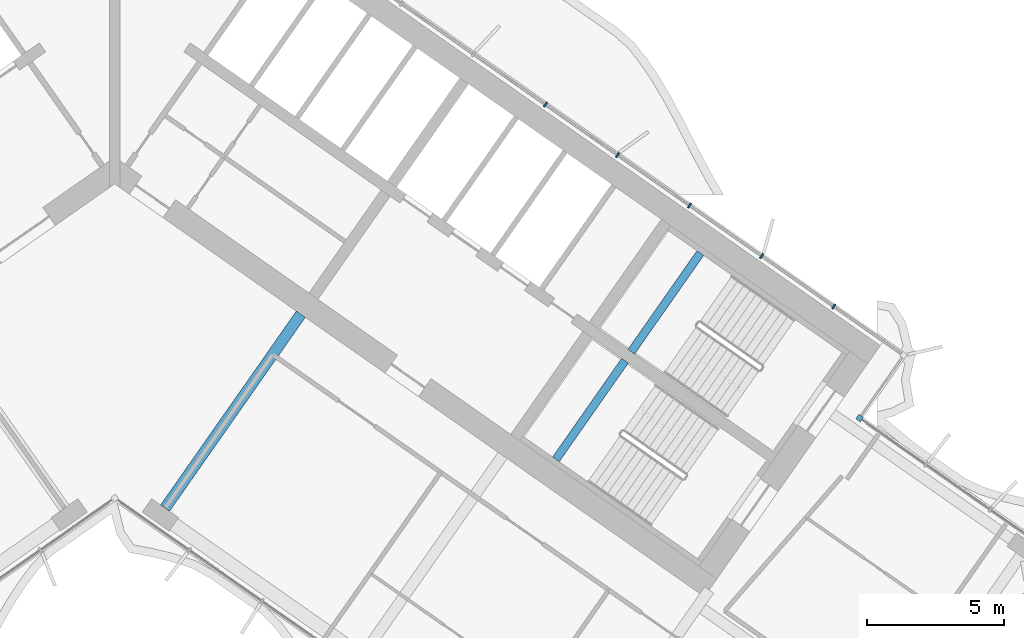
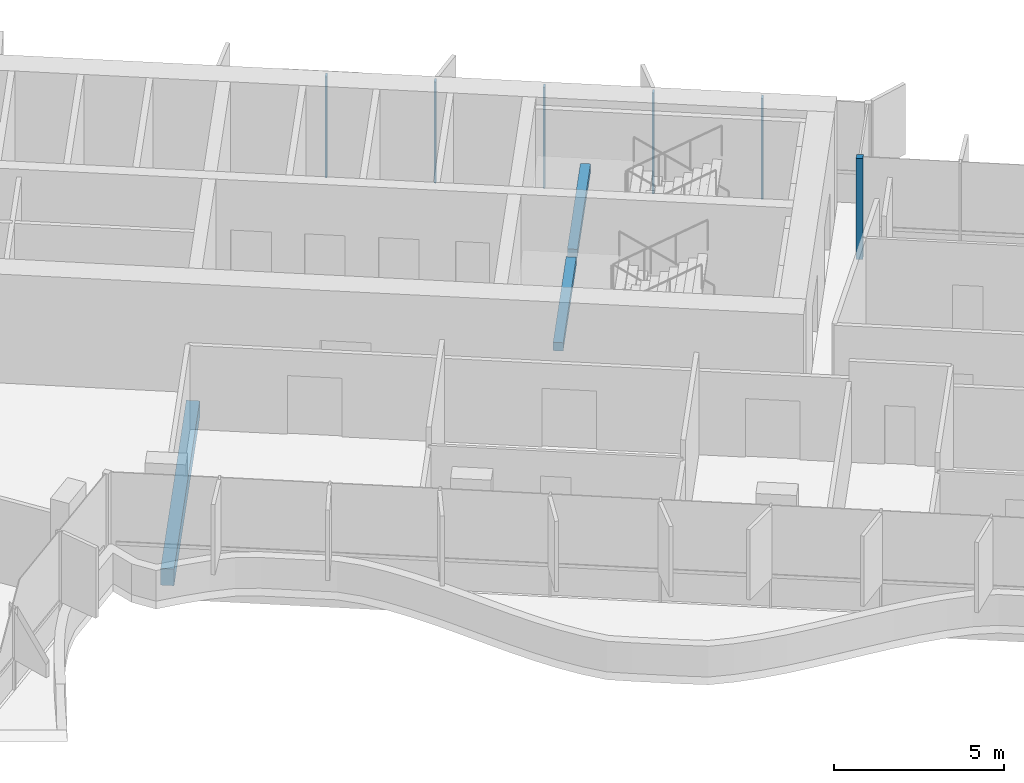
# One storey, part 6 of 22: 6 members, 3 beams, 1 element without a shape of its own.
"""IFC4 building model written with IfcOpenShell, lengths in metres."""

from ifc_helpers import new_model, si_unit, direction, frame, origin, origin_2d, place, context, subcontext, project, spatial, rectangle, extrude, material, material_profile, profile_set, type_object, element, aggregate, save


model = new_model("IFC4")

# Units and contexts
model_context = context("Model", 3, precision=1e-05, world=origin(), true_north=direction((0.0, 1.0)))
body_context = subcontext(model_context, "Body", "Model", "MODEL_VIEW")
ifc_project = project(units=[si_unit("LENGTHUNIT", "METRE"), si_unit("AREAUNIT", "SQUARE_METRE"), si_unit("VOLUMEUNIT", "CUBIC_METRE"), si_unit("PLANEANGLEUNIT", "RADIAN"), si_unit("MASSUNIT", "GRAM", prefix="KILO")], contexts=[model_context])

# Site, building, storey
site_placement = place(None, origin())
site = spatial("IfcSite", under=ifc_project, at=site_placement, CompositionType="ELEMENT")
building_placement = place(site_placement, origin())
building = spatial("IfcBuilding", under=site, at=building_placement, Name="Tel Ilan Convention Tower", CompositionType="ELEMENT")
storey_placement = place(building_placement, frame((0.0, 0.0, 202.199951171875)))
storey = spatial("IfcBuildingStorey", under=building, at=storey_placement, Name="L47", CompositionType="ELEMENT", Elevation=202.199951171875)

# Beam
ifc_material_1 = material(Name="Concrete C40/50", Category="concrete")
ifc_material_profile_1 = material_profile(ifc_material_1, rectangle(XDim=0.39990234375, YDim=0.60009765625, at=origin_2d()), Name="RC 400x600")
ifc_profile_set_1 = profile_set([ifc_material_profile_1], Name="Concrete C40/50")
beam_type_1 = type_object("IfcBeamType", Name="Beam RC 400x600 Concrete C40/50", PredefinedType="BEAM", material=ifc_profile_set_1)
beam_1_placement = place(storey_placement, frame((1.83740234375, -13.06689453125, -0.579833984375), z_axis=(0.573574099654, 0.819153680457, 0.0), x_axis=(-0.819153680457, 0.573574099654, 0.0)))
element("IfcBeam", 1, at=beam_1_placement, inside=storey, type_object=beam_type_1, Name="L47 beam E-E-F1-core", PredefinedType="BEAM", context=body_context, shape_type="SweptSolid", body=[
    extrude(rectangle(XDim=0.39990234375, YDim=0.60009765625, at=origin_2d()), origin(), (0.0, 0.0, 1.0), 8.64990234375),
])

# Curtain wall, members
ifc_material_2 = material(Name="Aluminium, bronze anodised", Category="aluminium")
curtain_wall_type = type_object("IfcCurtainWallType", Name="CW2 STICK CURTAIN WALL, SPANDREL PANELS", PredefinedType="NOTDEFINED", material=ifc_material_2)
curtain_wall_placement = place(storey_placement, origin())
curtain_wall = element("IfcCurtainWall", 2, at=curtain_wall_placement, inside=storey, type_object=curtain_wall_type, Name="Curtain wall CW2-37.01", PredefinedType="NOTDEFINED")
ifc_material_3 = material(Name="Aluminium, bronze anodised", Category="aluminium")
ifc_material_profile_2 = material_profile(ifc_material_3, rectangle(XDim=0.199951171875, YDim=0.199951171875, at=origin_2d()), Name="CW CORNER MULLION 200x200")
ifc_profile_set_2 = profile_set([ifc_material_profile_2], Name="Aluminium, bronze anodised")
member_type_1 = type_object("IfcMemberType", Name="CW CORNER MULLION 200x200", PredefinedType="MULLION", material=ifc_profile_set_2)
member_1_placement = place(storey_placement, frame((27.213623046875, -9.77734375, 0.0), z_axis=(0.0, 0.0, 1.0), x_axis=(-0.819152044289, 0.573576436351, 0.0)))
member_1 = element("IfcMember", 3, at=member_1_placement, type_object=member_type_1, Name="Corner mullion", PredefinedType="MULLION", context=body_context, shape_type="SweptSolid", body=[
    extrude(rectangle(XDim=0.199951171875, YDim=0.199951171875, at=origin_2d()), origin(), (0.0, 0.0, 1.0), 3.6201171875),
])
ifc_material_4 = material(Name="Aluminium, bronze anodised", Category="aluminium")
ifc_material_profile_3 = material_profile(ifc_material_4, rectangle(XDim=0.06005859375, YDim=0.199951171875, at=origin_2d()), Name="CW MULLION 60x200")
ifc_profile_set_3 = profile_set([ifc_material_profile_3], Name="Aluminium, bronze anodised")
member_type_2 = type_object("IfcMemberType", Name="CW MULLION 60x200", PredefinedType="MULLION", material=ifc_profile_set_3)
member_2_placement = place(storey_placement, frame((26.268798828125, -5.697509765625, 0.0), z_axis=(0.0, 0.0, 1.0), x_axis=(-0.819152044289, 0.573576436351, 0.0)))
member_2 = element("IfcMember", 4, at=member_2_placement, type_object=member_type_2, Name="Mullion", PredefinedType="MULLION", context=body_context, shape_type="SweptSolid", body=[
    extrude(rectangle(XDim=0.06005859375, YDim=0.199951171875, at=origin_2d()), origin(), (0.0, 0.0, 1.0), 3.6201171875),
])
member_3_placement = place(storey_placement, frame((23.63623046875, -3.854248046875, 0.0), z_axis=(0.0, 0.0, 1.0), x_axis=(-0.819152044289, 0.573576436351, 0.0)))
member_3 = element("IfcMember", 5, at=member_3_placement, type_object=member_type_2, Name="Mullion", PredefinedType="MULLION", context=body_context, shape_type="SweptSolid", body=[
    extrude(rectangle(XDim=0.06005859375, YDim=0.199951171875, at=origin_2d()), origin(), (0.0, 0.0, 1.0), 3.6201171875),
])
member_4_placement = place(storey_placement, frame((21.003662109375, -2.0107421875, 0.0), z_axis=(0.0, 0.0, 1.0), x_axis=(-0.819152044289, 0.573576436351, 0.0)))
member_4 = element("IfcMember", 6, at=member_4_placement, type_object=member_type_2, Name="Mullion", PredefinedType="MULLION", context=body_context, shape_type="SweptSolid", body=[
    extrude(rectangle(XDim=0.06005859375, YDim=0.199951171875, at=origin_2d()), origin(), (0.0, 0.0, 1.0), 3.6201171875),
])
member_5_placement = place(storey_placement, frame((18.37109375, -0.16748046875, 0.0), z_axis=(0.0, 0.0, 1.0), x_axis=(-0.819152044289, 0.573576436351, 0.0)))
member_5 = element("IfcMember", 7, at=member_5_placement, type_object=member_type_2, Name="Mullion", PredefinedType="MULLION", context=body_context, shape_type="SweptSolid", body=[
    extrude(rectangle(XDim=0.06005859375, YDim=0.199951171875, at=origin_2d()), origin(), (0.0, 0.0, 1.0), 3.6201171875),
])
member_6_placement = place(storey_placement, frame((15.73828125, 1.676025390625, 0.0), z_axis=(0.0, 0.0, 1.0), x_axis=(-0.819152044289, 0.573576436351, 0.0)))
member_6 = element("IfcMember", 8, at=member_6_placement, type_object=member_type_2, Name="Mullion", PredefinedType="MULLION", context=body_context, shape_type="SweptSolid", body=[
    extrude(rectangle(XDim=0.06005859375, YDim=0.199951171875, at=origin_2d()), origin(), (0.0, 0.0, 1.0), 3.6201171875),
])
aggregate(curtain_wall, [member_1, member_2, member_3, member_4, member_5, member_6])

# Beams
ifc_material_5 = material(Name="Concrete C40/50", Category="concrete")
ifc_material_profile_4 = material_profile(ifc_material_5, rectangle(XDim=0.300048828125, YDim=0.300048828125, at=origin_2d()), Name="RC 300x300")
ifc_profile_set_4 = profile_set([ifc_material_profile_4], Name="Concrete C40/50")
beam_type_2 = type_object("IfcBeamType", Name="Landing Beam RC 300x300 Concrete C40/50", PredefinedType="BEAM", material=ifc_profile_set_4)
beam_2_placement = place(storey_placement, frame((21.39404296875, -3.7490234375, 1.60009765625), z_axis=(-0.57354426506, -0.819174569928, 0.0), x_axis=(0.819174569928, -0.57354426506, 0.0)))
element("IfcBeam", 9, at=beam_2_placement, inside=storey, type_object=beam_type_2, Name="S3 landing beam L47.1", PredefinedType="BEAM", context=body_context, shape_type="SweptSolid", body=[
    extrude(rectangle(XDim=0.300048828125, YDim=0.300048828125, at=origin_2d()), origin(), (0.0, 0.0, 1.0), 4.400146484375),
])
beam_3_placement = place(storey_placement, frame((18.640869140625, -7.68115234375, 1.60009765625), z_axis=(-0.573570334442, -0.819156316858, 0.0), x_axis=(0.819156316858, -0.573570334442, 0.0)))
element("IfcBeam", 10, at=beam_3_placement, inside=storey, type_object=beam_type_2, Name="S4 landing beam L47.1", PredefinedType="BEAM", context=body_context, shape_type="SweptSolid", body=[
    extrude(rectangle(XDim=0.300048828125, YDim=0.300048828125, at=origin_2d()), origin(), (0.0, 0.0, 1.0), 4.39990234375),
])

save(model, "model.ifc")
